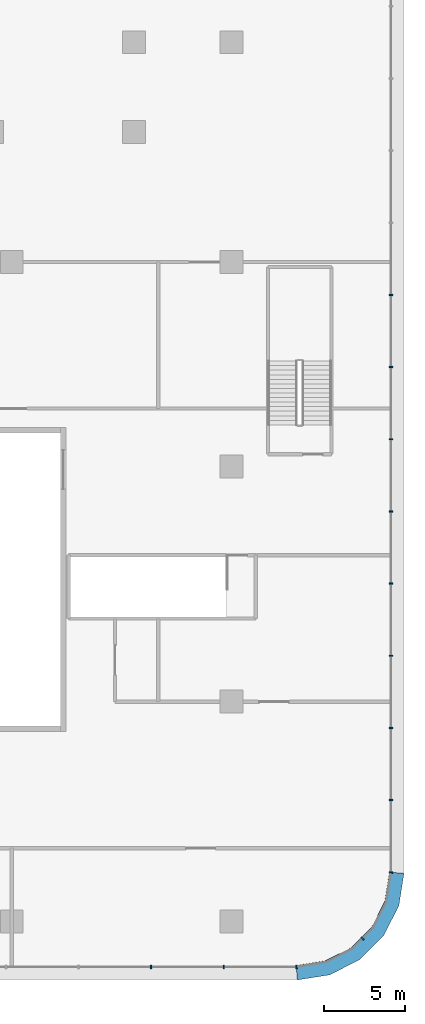
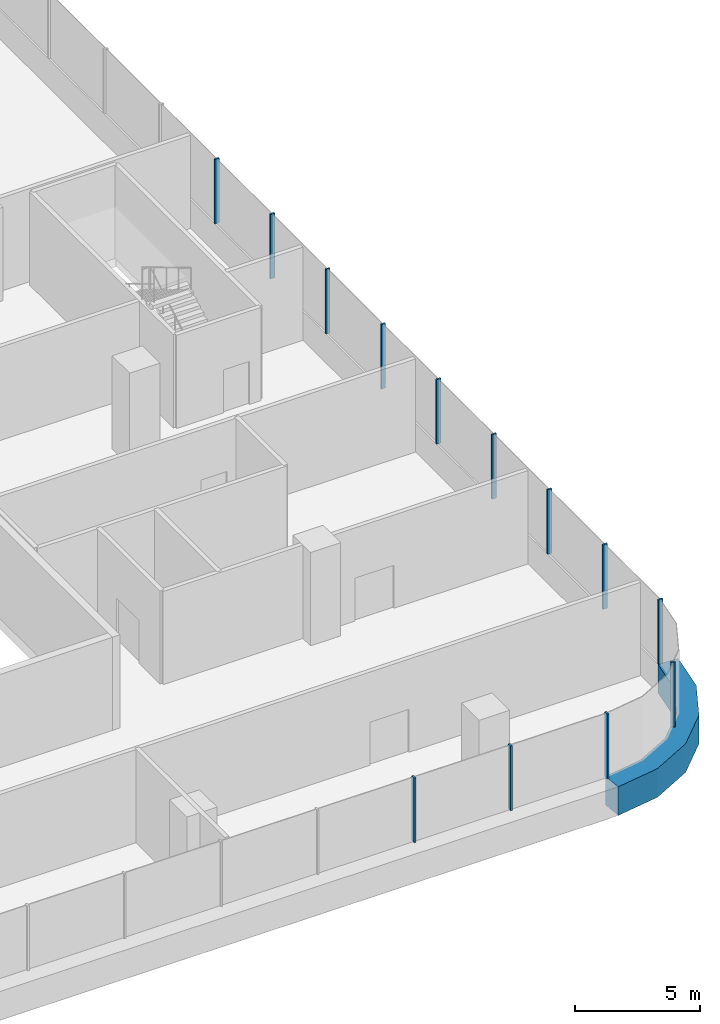
# One storey, part 10 of 38: 14 members, 3 elements without a shape of their own.
"""IFC4 building model written with IfcOpenShell, lengths in metres."""

from ifc_helpers import new_model, si_unit, direction, frame, origin, origin_2d, place, context, subcontext, project, spatial, polyline, rectangle, outline, extrude, material, layer, layer_set, material_profile, profile_set, type_object, element, aggregate, save


model = new_model("IFC4")

# Units and contexts
model_context = context("Model", 3, precision=1e-05, world=origin(), true_north=direction((0.0, 1.0)))
body_context = subcontext(model_context, "Body", "Model", "MODEL_VIEW")
ifc_project = project(units=[si_unit("LENGTHUNIT", "METRE"), si_unit("AREAUNIT", "SQUARE_METRE"), si_unit("VOLUMEUNIT", "CUBIC_METRE"), si_unit("PLANEANGLEUNIT", "RADIAN"), si_unit("MASSUNIT", "GRAM", prefix="KILO")], contexts=[model_context])

# Site, building, storey
site_placement = place(None, origin())
site = spatial("IfcSite", under=ifc_project, at=site_placement, CompositionType="ELEMENT")
building_placement = place(site_placement, origin())
building = spatial("IfcBuilding", under=site, at=building_placement, Name="Tamarind Cross Interchange Tower", CompositionType="ELEMENT")
storey_placement = place(building_placement, frame((0.0, 0.0, 20.0)))
storey = spatial("IfcBuildingStorey", under=building, at=storey_placement, Name="L03", CompositionType="ELEMENT", Elevation=20.0)

# Curtain wall, member
ifc_material_1 = material(Name="Aluminium 6063-T6", Category="aluminium")
ifc_layer = layer(ifc_material_1, 0.199951171875)
ifc_layer_set = layer_set([ifc_layer], Name="Aluminium 6063-T6")
curtain_wall_type = type_object("IfcCurtainWallType", Name="Podium shopfront and station curtain wall", PredefinedType="NOTDEFINED", material=ifc_layer_set)
curtain_wall_1_placement = place(storey_placement, origin())
curtain_wall_1 = element("IfcCurtainWall", 1, at=curtain_wall_1_placement, inside=storey, type_object=curtain_wall_type, Name="CWS-L03-07", PredefinedType="NOTDEFINED")
ifc_material_2 = material(Name="Aluminium and insulated spandrel panel", Category="aluminium")
member_type_1 = type_object("IfcMemberType", Name="Floor-edge blade transom", PredefinedType="USERDEFINED", material=ifc_material_2)
member_1_placement = place(storey_placement, origin())
member_1 = element("IfcMember", 2, at=member_1_placement, type_object=member_type_1, Name="CWT-L03-07", ObjectType="TRANSOM", PredefinedType="USERDEFINED", context=body_context, shape_type="SweptSolid", body=[
    extrude(outline(polyline([(57.976318359375, -56.699951171875), (59.76025390625, -56.41748046875), (61.34814453125, -55.6083984375), (62.6083984375, -54.34814453125), (63.41748046875, -52.76025390625), (63.699951171875, -50.976318359375), (64.60009765625, -51.047119140625), (64.2841796875, -53.041748046875), (63.345458984375, -54.8837890625), (61.8837890625, -56.345458984375), (60.041748046875, -57.2841796875), (58.047119140625, -57.60009765625), (57.976318359375, -56.699951171875)])), origin(), (0.0, 0.0, 1.0), 1.39990234375),
])

# Curtain wall, members
curtain_wall_2_placement = place(storey_placement, origin())
curtain_wall_2 = element("IfcCurtainWall", 3, at=curtain_wall_2_placement, inside=storey, type_object=curtain_wall_type, Name="CWS-L03-00", PredefinedType="NOTDEFINED")
ifc_material_profile = material_profile(ifc_material_1, rectangle(XDim=0.080078125, YDim=0.199951171875, at=origin_2d()), Name="Mullion CW3")
ifc_profile_set = profile_set([ifc_material_profile], Name="Aluminium 6063-T6")
member_type_2 = type_object("IfcMemberType", Name="Mullion CW3", PredefinedType="MULLION", material=ifc_profile_set)
member_2_placement = place(storey_placement, frame((63.800048828125, -50.984375, 1.39990234375), z_axis=(0.0, 0.0, 1.0), x_axis=(0.078459095728, 0.996917333733, 0.0)))
member_2 = element("IfcMember", 4, at=member_2_placement, type_object=member_type_2, Name="CWM-L03-00-00", PredefinedType="MULLION", context=body_context, shape_type="SweptSolid", body=[
    extrude(rectangle(XDim=0.080078125, YDim=0.199951171875, at=origin_2d()), origin(), (0.0, 0.0, 1.0), 3.150146484375),
])
member_3_placement = place(storey_placement, frame((63.800048828125, -46.55078125, 1.39990234375), z_axis=(0.0, 0.0, 1.0), x_axis=(0.0, 1.0, 0.0)))
member_3 = element("IfcMember", 5, at=member_3_placement, type_object=member_type_2, Name="CWM-L03-00-01", PredefinedType="MULLION", context=body_context, shape_type="SweptSolid", body=[
    extrude(rectangle(XDim=0.080078125, YDim=0.199951171875, at=origin_2d()), origin(), (0.0, 0.0, 1.0), 3.150146484375),
])
member_4_placement = place(storey_placement, frame((63.800048828125, -42.117431640625, 1.39990234375), z_axis=(0.0, 0.0, 1.0), x_axis=(0.0, 1.0, 0.0)))
member_4 = element("IfcMember", 6, at=member_4_placement, type_object=member_type_2, Name="CWM-L03-00-02", PredefinedType="MULLION", context=body_context, shape_type="SweptSolid", body=[
    extrude(rectangle(XDim=0.080078125, YDim=0.199951171875, at=origin_2d()), origin(), (0.0, 0.0, 1.0), 3.150146484375),
])
member_5_placement = place(storey_placement, frame((63.800048828125, -37.68408203125, 1.39990234375), z_axis=(0.0, 0.0, 1.0), x_axis=(0.0, 1.0, 0.0)))
member_5 = element("IfcMember", 7, at=member_5_placement, type_object=member_type_2, Name="CWM-L03-00-03", PredefinedType="MULLION", context=body_context, shape_type="SweptSolid", body=[
    extrude(rectangle(XDim=0.080078125, YDim=0.199951171875, at=origin_2d()), origin(), (0.0, 0.0, 1.0), 3.150146484375),
])
member_6_placement = place(storey_placement, frame((63.800048828125, -33.25048828125, 1.39990234375), z_axis=(0.0, 0.0, 1.0), x_axis=(0.0, 1.0, 0.0)))
member_6 = element("IfcMember", 8, at=member_6_placement, type_object=member_type_2, Name="CWM-L03-00-04", PredefinedType="MULLION", context=body_context, shape_type="SweptSolid", body=[
    extrude(rectangle(XDim=0.080078125, YDim=0.199951171875, at=origin_2d()), origin(), (0.0, 0.0, 1.0), 3.150146484375),
])
member_7_placement = place(storey_placement, frame((63.800048828125, -28.817138671875, 1.39990234375), z_axis=(0.0, 0.0, 1.0), x_axis=(0.0, 1.0, 0.0)))
member_7 = element("IfcMember", 9, at=member_7_placement, type_object=member_type_2, Name="CWM-L03-00-05", PredefinedType="MULLION", context=body_context, shape_type="SweptSolid", body=[
    extrude(rectangle(XDim=0.080078125, YDim=0.199951171875, at=origin_2d()), origin(), (0.0, 0.0, 1.0), 3.150146484375),
])
member_8_placement = place(storey_placement, frame((63.800048828125, -24.3837890625, 1.39990234375), z_axis=(0.0, 0.0, 1.0), x_axis=(0.0, 1.0, 0.0)))
member_8 = element("IfcMember", 10, at=member_8_placement, type_object=member_type_2, Name="CWM-L03-00-06", PredefinedType="MULLION", context=body_context, shape_type="SweptSolid", body=[
    extrude(rectangle(XDim=0.080078125, YDim=0.199951171875, at=origin_2d()), origin(), (0.0, 0.0, 1.0), 3.150146484375),
])
member_9_placement = place(storey_placement, frame((63.800048828125, -19.950439453125, 1.39990234375), z_axis=(0.0, 0.0, 1.0), x_axis=(0.0, 1.0, 0.0)))
member_9 = element("IfcMember", 11, at=member_9_placement, type_object=member_type_2, Name="CWM-L03-00-07", PredefinedType="MULLION", context=body_context, shape_type="SweptSolid", body=[
    extrude(rectangle(XDim=0.080078125, YDim=0.199951171875, at=origin_2d()), origin(), (0.0, 0.0, 1.0), 3.150146484375),
])
member_10_placement = place(storey_placement, frame((63.800048828125, -15.516845703125, 1.39990234375), z_axis=(0.0, 0.0, 1.0), x_axis=(0.0, 1.0, 0.0)))
member_10 = element("IfcMember", 12, at=member_10_placement, type_object=member_type_2, Name="CWM-L03-00-08", PredefinedType="MULLION", context=body_context, shape_type="SweptSolid", body=[
    extrude(rectangle(XDim=0.080078125, YDim=0.199951171875, at=origin_2d()), origin(), (0.0, 0.0, 1.0), 3.150146484375),
])
aggregate(curtain_wall_2, [member_2, member_3, member_4, member_5, member_6, member_7, member_8, member_9, member_10])

curtain_wall_3_placement = place(storey_placement, origin())
curtain_wall_3 = element("IfcCurtainWall", 13, at=curtain_wall_3_placement, inside=storey, type_object=curtain_wall_type, Name="CWS-L03-06", PredefinedType="NOTDEFINED")
member_11_placement = place(storey_placement, frame((49.063720703125, -56.800048828125, 1.39990234375), z_axis=(0.0, 0.0, 1.0), x_axis=(1.0, 0.0, 0.0)))
member_11 = element("IfcMember", 14, at=member_11_placement, type_object=member_type_2, Name="CWM-L03-06-24", PredefinedType="MULLION", context=body_context, shape_type="SweptSolid", body=[
    extrude(rectangle(XDim=0.080078125, YDim=0.199951171875, at=origin_2d()), origin(), (0.0, 0.0, 1.0), 3.150146484375),
])
member_12_placement = place(storey_placement, frame((53.52392578125, -56.800048828125, 1.39990234375), z_axis=(0.0, 0.0, 1.0), x_axis=(1.0, 0.0, 0.0)))
member_12 = element("IfcMember", 15, at=member_12_placement, type_object=member_type_2, Name="CWM-L03-06-25", PredefinedType="MULLION", context=body_context, shape_type="SweptSolid", body=[
    extrude(rectangle(XDim=0.080078125, YDim=0.199951171875, at=origin_2d()), origin(), (0.0, 0.0, 1.0), 3.150146484375),
])
aggregate(curtain_wall_3, [member_11, member_12])

# Member
member_13_placement = place(storey_placement, frame((57.984375, -56.800048828125, 1.39990234375), z_axis=(0.0, 0.0, 1.0), x_axis=(0.996917333733, 0.078459095728, 0.0)))
member_13 = element("IfcMember", 16, at=member_13_placement, type_object=member_type_2, Name="CWM-L03-07-00", PredefinedType="MULLION", context=body_context, shape_type="SweptSolid", body=[
    extrude(rectangle(XDim=0.080078125, YDim=0.199951171875, at=origin_2d()), origin(), (0.0, 0.0, 1.0), 3.150146484375),
])

member_14_placement = place(storey_placement, frame((62.049072265625, -55.049072265625, 1.39990234375), z_axis=(0.0, 0.0, 1.0), x_axis=(0.707106781187, 0.707106781187, 0.0)))
member_14 = element("IfcMember", 17, at=member_14_placement, type_object=member_type_2, Name="CWM-L03-07-01", PredefinedType="MULLION", context=body_context, shape_type="SweptSolid", body=[
    extrude(rectangle(XDim=0.080078125, YDim=0.199951171875, at=origin_2d()), origin(), (0.0, 0.0, 1.0), 3.150146484375),
])

aggregate(curtain_wall_1, [member_13, member_14, member_1])

save(model, "model.ifc")
